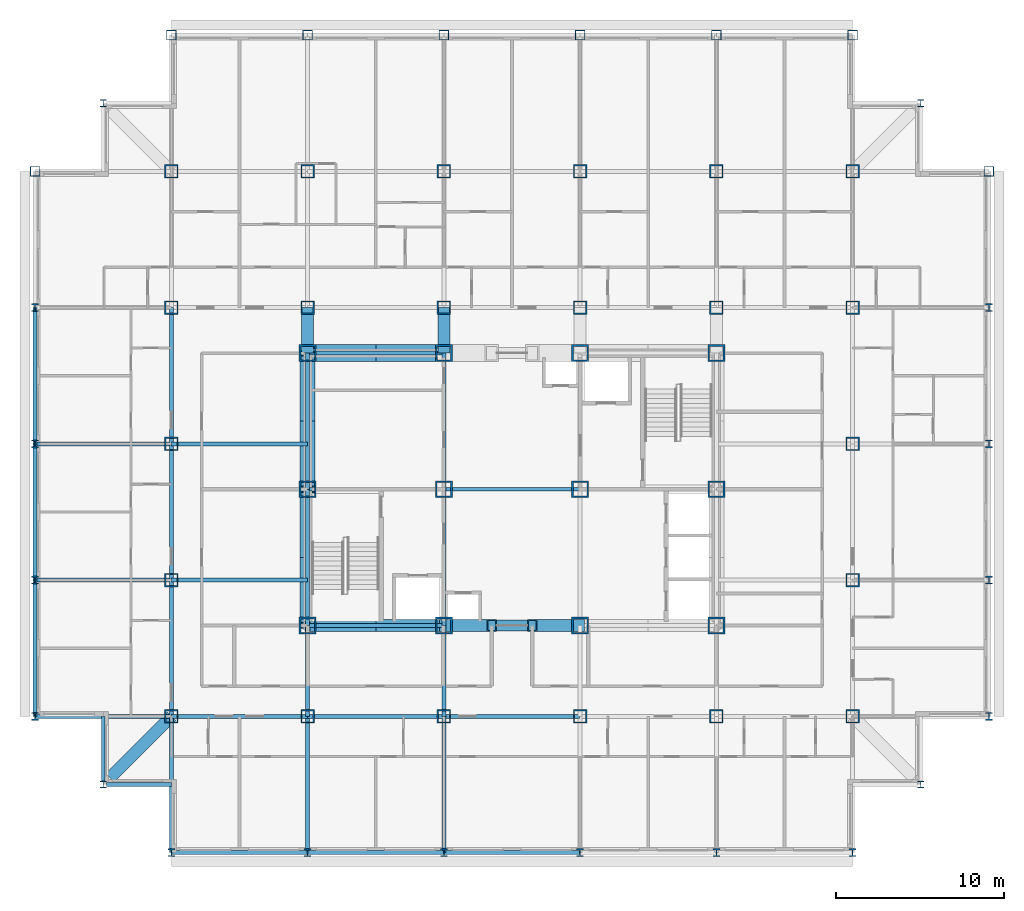
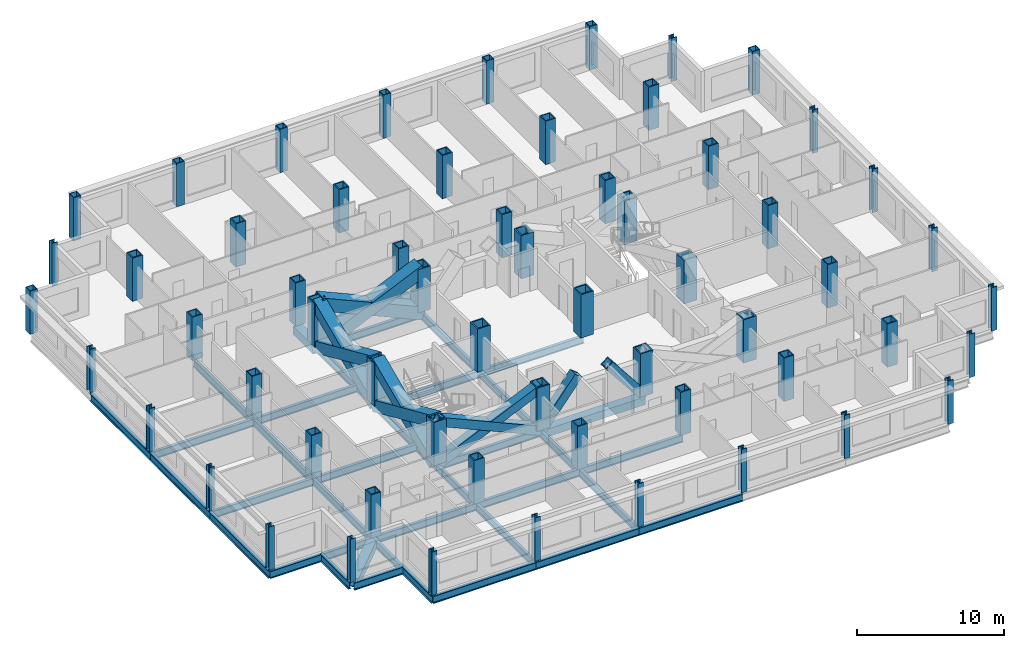
# One storey, part 1 of 12: 60 columns, 36 beams, 10 members.
"""IFC4 building model written with IfcOpenShell, lengths in metres."""

from ifc_helpers import new_model, si_unit, direction, frame, origin, origin_2d, place, context, subcontext, project, spatial, hollow_rectangle, i_section, extrude, material, material_profile, profile_set, type_object, element, save


model = new_model("IFC4")

# Units and contexts
model_context = context("Model", 3, precision=1e-05, world=origin(), true_north=direction((0.0, 1.0)))
body_context = subcontext(model_context, "Body", "Model", "MODEL_VIEW")
ifc_project = project(units=[si_unit("LENGTHUNIT", "METRE"), si_unit("AREAUNIT", "SQUARE_METRE"), si_unit("VOLUMEUNIT", "CUBIC_METRE"), si_unit("PLANEANGLEUNIT", "RADIAN"), si_unit("MASSUNIT", "GRAM", prefix="KILO")], contexts=[model_context])

# Site, building, storey
site_placement = place(None, origin())
site = spatial("IfcSite", under=ifc_project, at=site_placement, CompositionType="ELEMENT")
building_placement = place(site_placement, origin())
building = spatial("IfcBuilding", under=site, at=building_placement, Name="Kopane Lantern Tower", CompositionType="ELEMENT")
storey_placement = place(building_placement, frame((0.0, 0.0, 195.60009765625)))
storey = spatial("IfcBuildingStorey", under=building, at=storey_placement, Name="L50", CompositionType="ELEMENT", Elevation=195.60009765625)

# Columns
ifc_material_1 = material(Name="Steel S355JR", Category="steel")
ifc_material_profile_1 = material_profile(ifc_material_1, hollow_rectangle(XDim=1.0, YDim=1.0, WallThickness=0.10009765625, at=origin_2d()), Name="BOX 1000x1000x100")
ifc_profile_set_1 = profile_set([ifc_material_profile_1], Name="Steel S355JR")
column_type_1 = type_object("IfcColumnType", Name="COLUMN BOX 1000x1000x100", PredefinedType="COLUMN", material=ifc_profile_set_1)
for number, where, z_axis, x_axis, name in (
    (1, (16.199951171875, 24.300048828125, 0.0), (0.0, 0.0, 1.0), (1.0, 0.0, 0.0), "Column 4/E L50"),
    (2, (16.199951171875, 32.39990234375, 0.0), (0.0, 0.0, 1.0), (1.0, 0.0, 0.0), "Column 4/F L50"),
    (3, (16.199951171875, 40.5, 0.0), (0.0, 0.0, 1.0), (1.0, 0.0, 0.0), "Column 4/G L50"),
    (4, (24.300048828125, 24.300048828125, 0.0), (0.0, 0.0, 1.0), (1.0, 0.0, 0.0), "Column 5/E L50"),
    (5, (24.300048828125, 32.39990234375, 0.0), (0.0, 0.0, 1.0), (1.0, 0.0, 0.0), "Column 5/F L50"),
    (6, (24.300048828125, 40.5, 0.0), (0.0, 0.0, 1.0), (1.0, 0.0, 0.0), "Column 5/G L50"),
    (7, (32.39990234375, 24.300048828125, 0.0), (0.0, 0.0, 1.0), (1.0, 0.0, 0.0), "Column 6/E L50"),
    (8, (32.39990234375, 32.39990234375, 0.0), (0.0, 0.0, 1.0), (1.0, 0.0, 0.0), "Column 6/F L50"),
    (9, (32.39990234375, 40.5, 0.0), (0.0, 0.0, 1.0), (1.0, 0.0, 0.0), "Column 6/G L50"),
    (10, (40.5, 24.300048828125, 0.0), (0.0, 0.0, 1.0), (1.0, 0.0, 0.0), "Column 7/E L50"),
    (11, (40.5, 32.39990234375, 0.0), (0.0, 0.0, 1.0), (1.0, 0.0, 0.0), "Column 7/F L50"),
    (12, (40.5, 40.5, 0.0), (0.0, 0.0, 1.0), (1.0, 0.0, 0.0), "Column 7/G L50"),
):
    element("IfcColumn", number, at=place(storey_placement, frame(where, z_axis=z_axis, x_axis=x_axis)), inside=storey, type_object=column_type_1, Name=name, PredefinedType="COLUMN", context=body_context, shape_type="SweptSolid", body=[
        extrude(hollow_rectangle(XDim=1.0, YDim=1.0, WallThickness=0.10009765625, at=origin_2d()), origin(), (0.0, 0.0, 1.0), 3.599853515625),
    ])
ifc_material_2 = material(Name="Steel S355JR", Category="steel")
ifc_material_profile_2 = material_profile(ifc_material_2, hollow_rectangle(XDim=0.60009765625, YDim=0.60009765625, WallThickness=0.050048828125, at=origin_2d()), Name="BOX 600x600x50")
ifc_profile_set_2 = profile_set([ifc_material_profile_2], Name="Steel S355JR")
column_type_2 = type_object("IfcColumnType", Name="COLUMN BOX 600x600x50", PredefinedType="COLUMN", material=ifc_profile_set_2)
for number, where, z_axis, x_axis, name in (
    (13, (0.0, 51.300048828125, 0.0), (0.0, 0.0, 1.0), (1.0, 0.0, 0.0), "Column 2/Q6 L50"),
    (14, (8.10009765625, 59.39990234375, 0.0), (0.0, 0.0, 1.0), (1.0, 0.0, 0.0), "Column 3/Q7 L50"),
    (15, (16.199951171875, 59.39990234375, 0.0), (0.0, 0.0, 1.0), (1.0, 0.0, 0.0), "Column 4/Q7 L50"),
    (16, (24.300048828125, 59.39990234375, 0.0), (0.0, 0.0, 1.0), (1.0, 0.0, 0.0), "Column 5/Q7 L50"),
    (17, (32.39990234375, 59.39990234375, 0.0), (0.0, 0.0, 1.0), (1.0, 0.0, 0.0), "Column 6/Q7 L50"),
    (18, (40.5, 59.39990234375, 0.0), (0.0, 0.0, 1.0), (1.0, 0.0, 0.0), "Column 7/Q7 L50"),
    (19, (48.60009765625, 59.39990234375, 0.0), (0.0, 0.0, 1.0), (1.0, 0.0, 0.0), "Column 8/Q7 L50"),
    (20, (56.699951171875, 51.300048828125, 0.0), (0.0, 0.0, 1.0), (1.0, 0.0, 0.0), "Column 9/Q6 L50"),
):
    element("IfcColumn", number, at=place(storey_placement, frame(where, z_axis=z_axis, x_axis=x_axis)), inside=storey, type_object=column_type_2, Name=name, PredefinedType="COLUMN", context=body_context, shape_type="SweptSolid", body=[
        extrude(hollow_rectangle(XDim=0.60009765625, YDim=0.60009765625, WallThickness=0.050048828125, at=origin_2d()), origin(), (0.0, 0.0, 1.0), 3.599853515625),
    ])
ifc_material_3 = material(Name="Steel S355JR", Category="steel")
ifc_material_profile_3 = material_profile(ifc_material_3, hollow_rectangle(XDim=0.800048828125, YDim=0.800048828125, WallThickness=0.080078125, at=origin_2d()), Name="BOX 800x800x80")
ifc_profile_set_3 = profile_set([ifc_material_profile_3], Name="Steel S355JR")
column_type_3 = type_object("IfcColumnType", Name="COLUMN BOX 800x800x80", PredefinedType="COLUMN", material=ifc_profile_set_3)
for number, where, z_axis, x_axis, name in (
    (21, (8.10009765625, 18.89990234375, 0.0), (0.0, 0.0, 1.0), (1.0, 0.0, 0.0), "Column 3/Q2 L50"),
    (22, (8.10009765625, 27.0, 0.0), (0.0, 0.0, 1.0), (1.0, 0.0, 0.0), "Column 3/Q3 L50"),
    (23, (8.10009765625, 35.10009765625, 0.0), (0.0, 0.0, 1.0), (1.0, 0.0, 0.0), "Column 3/Q4 L50"),
    (24, (8.10009765625, 43.199951171875, 0.0), (0.0, 0.0, 1.0), (1.0, 0.0, 0.0), "Column 3/Q5 L50"),
    (25, (8.10009765625, 51.300048828125, 0.0), (0.0, 0.0, 1.0), (1.0, 0.0, 0.0), "Column 3/Q6 L50"),
    (26, (16.199951171875, 18.89990234375, 0.0), (0.0, 0.0, 1.0), (1.0, 0.0, 0.0), "Column 4/Q2 L50"),
    (27, (16.199951171875, 43.199951171875, 0.0), (0.0, 0.0, 1.0), (1.0, 0.0, 0.0), "Column 4/Q5 L50"),
    (28, (16.199951171875, 51.300048828125, 0.0), (0.0, 0.0, 1.0), (1.0, 0.0, 0.0), "Column 4/Q6 L50"),
    (29, (24.300048828125, 18.89990234375, 0.0), (0.0, 0.0, 1.0), (1.0, 0.0, 0.0), "Column 5/Q2 L50"),
    (30, (24.300048828125, 43.199951171875, 0.0), (0.0, 0.0, 1.0), (1.0, 0.0, 0.0), "Column 5/Q5 L50"),
    (31, (24.300048828125, 51.300048828125, 0.0), (0.0, 0.0, 1.0), (1.0, 0.0, 0.0), "Column 5/Q6 L50"),
    (32, (32.39990234375, 18.89990234375, 0.0), (0.0, 0.0, 1.0), (1.0, 0.0, 0.0), "Column 6/Q2 L50"),
    (33, (32.39990234375, 43.199951171875, 0.0), (0.0, 0.0, 1.0), (1.0, 0.0, 0.0), "Column 6/Q5 L50"),
    (34, (32.39990234375, 51.300048828125, 0.0), (0.0, 0.0, 1.0), (1.0, 0.0, 0.0), "Column 6/Q6 L50"),
    (35, (40.5, 18.89990234375, 0.0), (0.0, 0.0, 1.0), (1.0, 0.0, 0.0), "Column 7/Q2 L50"),
    (36, (40.5, 43.199951171875, 0.0), (0.0, 0.0, 1.0), (1.0, 0.0, 0.0), "Column 7/Q5 L50"),
    (37, (40.5, 51.300048828125, 0.0), (0.0, 0.0, 1.0), (1.0, 0.0, 0.0), "Column 7/Q6 L50"),
    (38, (48.60009765625, 18.89990234375, 0.0), (0.0, 0.0, 1.0), (1.0, 0.0, 0.0), "Column 8/Q2 L50"),
    (39, (48.60009765625, 27.0, 0.0), (0.0, 0.0, 1.0), (1.0, 0.0, 0.0), "Column 8/Q3 L50"),
    (40, (48.60009765625, 35.10009765625, 0.0), (0.0, 0.0, 1.0), (1.0, 0.0, 0.0), "Column 8/Q4 L50"),
    (41, (48.60009765625, 43.199951171875, 0.0), (0.0, 0.0, 1.0), (1.0, 0.0, 0.0), "Column 8/Q5 L50"),
    (42, (48.60009765625, 51.300048828125, 0.0), (0.0, 0.0, 1.0), (1.0, 0.0, 0.0), "Column 8/Q6 L50"),
):
    element("IfcColumn", number, at=place(storey_placement, frame(where, z_axis=z_axis, x_axis=x_axis)), inside=storey, type_object=column_type_3, Name=name, PredefinedType="COLUMN", context=body_context, shape_type="SweptSolid", body=[
        extrude(hollow_rectangle(XDim=0.800048828125, YDim=0.800048828125, WallThickness=0.080078125, at=origin_2d()), origin(), (0.0, 0.0, 1.0), 3.599853515625),
    ])
ifc_material_4 = material(Name="Steel S355JR", Category="steel")
ifc_material_profile_4 = material_profile(ifc_material_4, i_section(OverallWidth=0.406982421875, OverallDepth=0.4189453125, WebThickness=0.030517578125, FlangeThickness=0.04931640625, FilletRadius=0.01513671875, at=origin_2d()), Name="UC 356x406x393")
ifc_profile_set_4 = profile_set([ifc_material_profile_4], Name="Steel S355JR")
column_type_4 = type_object("IfcColumnType", Name="COLUMN UC 356x406x393", PredefinedType="COLUMN", material=ifc_profile_set_4)
for number, where, z_axis, x_axis, name in (
    (43, (4.050048828125, 14.85009765625, 0.0), (0.0, 0.0, 1.0), (1.0, 0.0, 0.0), "Column 4.05/14.85 L50"),
    (44, (4.050048828125, 55.35009765625, 0.0), (0.0, 0.0, 1.0), (1.0, 0.0, 0.0), "Column 4.05/55.35 L50"),
    (45, (52.64990234375, 14.85009765625, 0.0), (0.0, 0.0, 1.0), (1.0, 0.0, 0.0), "Column 52.65/14.85 L50"),
    (46, (52.64990234375, 55.35009765625, 0.0), (0.0, 0.0, 1.0), (1.0, 0.0, 0.0), "Column 52.65/55.35 L50"),
):
    element("IfcColumn", number, at=place(storey_placement, frame(where, z_axis=z_axis, x_axis=x_axis)), inside=storey, type_object=column_type_4, Name=name, PredefinedType="COLUMN", context=body_context, shape_type="SweptSolid", body=[
        extrude(i_section(OverallWidth=0.406982421875, OverallDepth=0.4189453125, WebThickness=0.030517578125, FlangeThickness=0.04931640625, FilletRadius=0.01513671875, at=origin_2d()), origin(), (0.0, 0.0, 1.0), 3.599853515625),
    ])
ifc_material_5 = material(Name="Steel S355JR", Category="steel")
ifc_material_profile_5 = material_profile(ifc_material_5, i_section(OverallWidth=0.424072265625, OverallDepth=0.474609375, WebThickness=0.047607421875, FlangeThickness=0.076904296875, FilletRadius=0.01513671875, at=origin_2d()), Name="UC 356x406x634")
ifc_profile_set_5 = profile_set([ifc_material_profile_5], Name="Steel S355JR")
column_type_5 = type_object("IfcColumnType", Name="COLUMN UC 356x406x634", PredefinedType="COLUMN", material=ifc_profile_set_5)
for number, where, z_axis, x_axis, name in (
    (47, (0.0, 18.89990234375, 0.0), (0.0, 0.0, 1.0), (1.0, 0.0, 0.0), "Column 2/Q2 L50"),
    (48, (0.0, 27.0, 0.0), (0.0, 0.0, 1.0), (1.0, 0.0, 0.0), "Column 2/Q3 L50"),
    (49, (0.0, 35.10009765625, 0.0), (0.0, 0.0, 1.0), (1.0, 0.0, 0.0), "Column 2/Q4 L50"),
    (50, (0.0, 43.199951171875, 0.0), (0.0, 0.0, 1.0), (1.0, 0.0, 0.0), "Column 2/Q5 L50"),
    (51, (8.10009765625, 10.800048828125, 0.0), (0.0, 0.0, 1.0), (1.0, 0.0, 0.0), "Column 3/Q1 L50"),
    (52, (16.199951171875, 10.800048828125, 0.0), (0.0, 0.0, 1.0), (1.0, 0.0, 0.0), "Column 4/Q1 L50"),
    (53, (24.300048828125, 10.800048828125, 0.0), (0.0, 0.0, 1.0), (1.0, 0.0, 0.0), "Column 5/Q1 L50"),
    (54, (32.39990234375, 10.800048828125, 0.0), (0.0, 0.0, 1.0), (1.0, 0.0, 0.0), "Column 6/Q1 L50"),
    (55, (40.5, 10.800048828125, 0.0), (0.0, 0.0, 1.0), (1.0, 0.0, 0.0), "Column 7/Q1 L50"),
    (56, (48.60009765625, 10.800048828125, 0.0), (0.0, 0.0, 1.0), (1.0, 0.0, 0.0), "Column 8/Q1 L50"),
    (57, (56.699951171875, 18.89990234375, 0.0), (0.0, 0.0, 1.0), (1.0, 0.0, 0.0), "Column 9/Q2 L50"),
    (58, (56.699951171875, 27.0, 0.0), (0.0, 0.0, 1.0), (1.0, 0.0, 0.0), "Column 9/Q3 L50"),
    (59, (56.699951171875, 35.10009765625, 0.0), (0.0, 0.0, 1.0), (1.0, 0.0, 0.0), "Column 9/Q4 L50"),
    (60, (56.699951171875, 43.199951171875, 0.0), (0.0, 0.0, 1.0), (1.0, 0.0, 0.0), "Column 9/Q5 L50"),
):
    element("IfcColumn", number, at=place(storey_placement, frame(where, z_axis=z_axis, x_axis=x_axis)), inside=storey, type_object=column_type_5, Name=name, PredefinedType="COLUMN", context=body_context, shape_type="SweptSolid", body=[
        extrude(i_section(OverallWidth=0.424072265625, OverallDepth=0.474609375, WebThickness=0.047607421875, FlangeThickness=0.076904296875, FilletRadius=0.01513671875, at=origin_2d()), origin(), (0.0, 0.0, 1.0), 3.599853515625),
    ])

# Members
ifc_material_6 = material(Name="Steel S355JR", Category="steel")
ifc_material_profile_6 = material_profile(ifc_material_6, hollow_rectangle(XDim=1.0, YDim=1.0, WallThickness=0.10009765625, at=origin_2d()), Name="BOX 1000x1000x100")
ifc_profile_set_6 = profile_set([ifc_material_profile_6], Name="Steel S355JR")
member_type_1 = type_object("IfcMemberType", Name="BRACE BOX 1000x1000x100", PredefinedType="BRACE", material=ifc_profile_set_6)
for number, where, z_axis, x_axis, name in (
    (61, (16.199951171875, 40.5, -0.210205078125), (0.913809277049, 0.0, 0.40614357705), (0.0, 1.0, 0.0), "Core brace L50"),
    (62, (24.300048828125, 40.5, -0.210205078125), (-0.913809277049, 0.0, 0.40614357705), (0.0, -1.0, 0.0), "Core brace L50"),
):
    element("IfcMember", number, at=place(storey_placement, frame(where, z_axis=z_axis, x_axis=x_axis)), inside=storey, type_object=member_type_1, Name=name, PredefinedType="BRACE", context=body_context, shape_type="SweptSolid", body=[
        extrude(hollow_rectangle(XDim=1.0, YDim=1.0, WallThickness=0.10009765625, at=origin_2d()), origin(), (0.0, 0.0, 1.0), 8.864013671875),
    ])
ifc_material_7 = material(Name="Steel S355JR", Category="steel")
ifc_material_profile_7 = material_profile(ifc_material_7, hollow_rectangle(XDim=0.699951171875, YDim=0.699951171875, WallThickness=0.06005859375, at=origin_2d()), Name="BOX 700x700x60")
ifc_profile_set_7 = profile_set([ifc_material_profile_7], Name="Steel S355JR")
member_type_2 = type_object("IfcMemberType", Name="BRACE BOX 700x700x60", PredefinedType="BRACE", material=ifc_profile_set_7)
for number, where, z_axis, x_axis, name in (
    (63, (16.199951171875, 24.300048828125, -0.210205078125), (0.913809277049, 0.0, 0.40614357705), (0.0, 1.0, 0.0), "Core brace L50"),
    (64, (24.300048828125, 24.300048828125, -0.210205078125), (-0.913809277049, 0.0, 0.40614357705), (0.0, -1.0, 0.0), "Core brace L50"),
):
    element("IfcMember", number, at=place(storey_placement, frame(where, z_axis=z_axis, x_axis=x_axis)), inside=storey, type_object=member_type_2, Name=name, PredefinedType="BRACE", context=body_context, shape_type="SweptSolid", body=[
        extrude(hollow_rectangle(XDim=0.699951171875, YDim=0.699951171875, WallThickness=0.06005859375, at=origin_2d()), origin(), (0.0, 0.0, 1.0), 8.864013671875),
    ])
for number, where, z_axis, x_axis, name in (
    (65, (24.300048828125, 24.300048828125, -0.210205078125), (0.620672981644, 0.0, 0.784069544018), (0.0, 1.0, 0.0), "Core brace L50"),
    (66, (32.39990234375, 24.300048828125, -0.210205078125), (-0.620672981644, 0.0, 0.784069544018), (0.0, -1.0, 0.0), "Core brace L50"),
):
    element("IfcMember", number, at=place(storey_placement, frame(where, z_axis=z_axis, x_axis=x_axis)), inside=storey, type_object=member_type_2, Name=name, PredefinedType="BRACE", context=body_context, shape_type="SweptSolid", body=[
        extrude(hollow_rectangle(XDim=0.699951171875, YDim=0.699951171875, WallThickness=0.06005859375, at=origin_2d()), origin(), (0.0, 0.0, 1.0), 4.591552734375),
    ])
ifc_material_8 = material(Name="Steel S355JR", Category="steel")
ifc_material_profile_8 = material_profile(ifc_material_8, hollow_rectangle(XDim=0.89990234375, YDim=0.89990234375, WallThickness=0.090087890625, at=origin_2d()), Name="BOX 900x900x90")
ifc_profile_set_8 = profile_set([ifc_material_profile_8], Name="Steel S355JR")
member_type_3 = type_object("IfcMemberType", Name="BRACE BOX 900x900x90", PredefinedType="BRACE", material=ifc_profile_set_8)
for number, where, z_axis, x_axis, name in (
    (67, (16.199951171875, 24.300048828125, -0.210205078125), (0.0, 0.91380473365, 0.406153799391), (-1.0, 0.0, 0.0), "Core brace L50"),
    (68, (16.199951171875, 32.39990234375, -0.210205078125), (0.0, -0.91380473365, 0.406153799391), (1.0, 0.0, 0.0), "Core brace L50"),
):
    element("IfcMember", number, at=place(storey_placement, frame(where, z_axis=z_axis, x_axis=x_axis)), inside=storey, type_object=member_type_3, Name=name, PredefinedType="BRACE", context=body_context, shape_type="SweptSolid", body=[
        extrude(hollow_rectangle(XDim=0.89990234375, YDim=0.89990234375, WallThickness=0.090087890625, at=origin_2d()), origin(), (0.0, 0.0, 1.0), 8.86376953125),
    ])
for number, where, z_axis, x_axis, name in (
    (69, (16.199951171875, 32.39990234375, -0.210205078125), (0.0, 0.913809277049, 0.40614357705), (-1.0, 0.0, 0.0), "Core brace L50"),
    (70, (16.199951171875, 40.5, -0.210205078125), (0.0, -0.913809277049, 0.40614357705), (1.0, 0.0, 0.0), "Core brace L50"),
):
    element("IfcMember", number, at=place(storey_placement, frame(where, z_axis=z_axis, x_axis=x_axis)), inside=storey, type_object=member_type_3, Name=name, PredefinedType="BRACE", context=body_context, shape_type="SweptSolid", body=[
        extrude(hollow_rectangle(XDim=0.89990234375, YDim=0.89990234375, WallThickness=0.090087890625, at=origin_2d()), origin(), (0.0, 0.0, 1.0), 8.864013671875),
    ])

# Beams
ifc_material_9 = material(Name="Steel S355JR", Category="steel")
ifc_material_profile_9 = material_profile(ifc_material_9, i_section(OverallWidth=0.22900390625, OverallDepth=0.6123046875, WebThickness=0.011962890625, FlangeThickness=0.01953125, FilletRadius=0.0126953125, at=origin_2d()), Name="UB 610x229x125")
ifc_profile_set_9 = profile_set([ifc_material_profile_9], Name="Steel S355JR")
beam_type_1 = type_object("IfcBeamType", Name="CORE BEAM UB 610x229x125", PredefinedType="BEAM", material=ifc_profile_set_9)
beam_1_placement = place(storey_placement, frame((16.199951171875, 32.39990234375, -0.51611328125), z_axis=(1.0, 0.0, 0.0), x_axis=(0.0, 1.0, 0.0)))
element("IfcBeam", 71, at=beam_1_placement, inside=storey, type_object=beam_type_1, Name="Core Beam L50", PredefinedType="BEAM", context=body_context, shape_type="SweptSolid", body=[
    extrude(i_section(OverallWidth=0.22900390625, OverallDepth=0.6123046875, WebThickness=0.011962890625, FlangeThickness=0.01953125, FilletRadius=0.0126953125, at=origin_2d()), origin(), (0.0, 0.0, 1.0), 8.10009765625),
])
beam_2_placement = place(storey_placement, frame((24.300048828125, 24.300048828125, -0.51611328125), z_axis=(0.0, 1.0, 0.0), x_axis=(-1.0, 0.0, 0.0)))
element("IfcBeam", 72, at=beam_2_placement, inside=storey, type_object=beam_type_1, Name="Core Beam L50", PredefinedType="BEAM", context=body_context, shape_type="SweptSolid", body=[
    extrude(i_section(OverallWidth=0.22900390625, OverallDepth=0.6123046875, WebThickness=0.011962890625, FlangeThickness=0.01953125, FilletRadius=0.0126953125, at=origin_2d()), origin(), (0.0, 0.0, 1.0), 8.099853515625),
])
beam_3_placement = place(storey_placement, frame((24.300048828125, 32.39990234375, -0.51611328125), z_axis=(0.0, 1.0, 0.0), x_axis=(-1.0, 0.0, 0.0)))
element("IfcBeam", 73, at=beam_3_placement, inside=storey, type_object=beam_type_1, Name="Core Beam L50", PredefinedType="BEAM", context=body_context, shape_type="SweptSolid", body=[
    extrude(i_section(OverallWidth=0.22900390625, OverallDepth=0.6123046875, WebThickness=0.011962890625, FlangeThickness=0.01953125, FilletRadius=0.0126953125, at=origin_2d()), origin(), (0.0, 0.0, 1.0), 8.10009765625),
])
beam_4_placement = place(storey_placement, frame((24.300048828125, 32.39990234375, -0.51611328125), z_axis=(1.0, 0.0, 0.0), x_axis=(0.0, 1.0, 0.0)))
element("IfcBeam", 74, at=beam_4_placement, inside=storey, type_object=beam_type_1, Name="Core Beam L50", PredefinedType="BEAM", context=body_context, shape_type="SweptSolid", body=[
    extrude(i_section(OverallWidth=0.22900390625, OverallDepth=0.6123046875, WebThickness=0.011962890625, FlangeThickness=0.01953125, FilletRadius=0.0126953125, at=origin_2d()), origin(), (0.0, 0.0, 1.0), 8.099853515625),
])
ifc_material_10 = material(Name="Steel S355JR", Category="steel")
ifc_material_profile_10 = material_profile(ifc_material_10, hollow_rectangle(XDim=0.699951171875, YDim=0.699951171875, WallThickness=0.06005859375, at=origin_2d()), Name="BOX 700x700x60")
ifc_profile_set_10 = profile_set([ifc_material_profile_10], Name="Steel S355JR")
beam_type_2 = type_object("IfcBeamType", Name="CORNER TIE BEAM BOX 700x700x60", PredefinedType="BEAM", material=ifc_profile_set_10)
beam_5_placement = place(storey_placement, frame((4.447509765625, 15.24755859375, -0.56005859375), z_axis=(0.70713041325, 0.707083148333, 0.0), x_axis=(-0.707083148333, 0.70713041325, 0.0)))
element("IfcBeam", 75, at=beam_5_placement, inside=storey, type_object=beam_type_2, Name="Corner Tie Beam L50", PredefinedType="BEAM", context=body_context, shape_type="SweptSolid", body=[
    extrude(hollow_rectangle(XDim=0.699951171875, YDim=0.699951171875, WallThickness=0.06005859375, at=origin_2d()), origin(), (0.0, 0.0, 1.0), 5.165283203125),
])
ifc_material_11 = material(Name="Steel S355JR", Category="steel")
ifc_material_profile_11 = material_profile(ifc_material_11, i_section(OverallWidth=0.22900390625, OverallDepth=0.6123046875, WebThickness=0.011962890625, FlangeThickness=0.01953125, FilletRadius=0.0126953125, at=origin_2d()), Name="UB 610x229x125")
ifc_profile_set_11 = profile_set([ifc_material_profile_11], Name="Steel S355JR")
beam_type_3 = type_object("IfcBeamType", Name="EDGE BEAM UB 610x229x125", PredefinedType="BEAM", material=ifc_profile_set_11)
beam_6_placement = place(storey_placement, frame((4.050048828125, 15.053466796875, -0.51611328125), z_axis=(0.0, 1.0, 0.0), x_axis=(-1.0, 0.0, 0.0)))
element("IfcBeam", 76, at=beam_6_placement, inside=storey, type_object=beam_type_3, Name="Edge Beam L50", PredefinedType="BEAM", context=body_context, shape_type="SweptSolid", body=[
    extrude(i_section(OverallWidth=0.22900390625, OverallDepth=0.6123046875, WebThickness=0.011962890625, FlangeThickness=0.01953125, FilletRadius=0.0126953125, at=origin_2d()), origin(), (0.0, 0.0, 1.0), 3.846435546875),
])
beam_7_placement = place(storey_placement, frame((4.25341796875, 14.85009765625, -0.51611328125), z_axis=(1.0, 0.0, 0.0), x_axis=(0.0, 1.0, 0.0)))
element("IfcBeam", 77, at=beam_7_placement, inside=storey, type_object=beam_type_3, Name="Edge Beam L50", PredefinedType="BEAM", context=body_context, shape_type="SweptSolid", body=[
    extrude(i_section(OverallWidth=0.22900390625, OverallDepth=0.6123046875, WebThickness=0.011962890625, FlangeThickness=0.01953125, FilletRadius=0.0126953125, at=origin_2d()), origin(), (0.0, 0.0, 1.0), 3.8466796875),
])
ifc_material_12 = material(Name="Steel S355JR", Category="steel")
ifc_material_profile_12 = material_profile(ifc_material_12, hollow_rectangle(XDim=0.699951171875, YDim=0.699951171875, WallThickness=0.06005859375, at=origin_2d()), Name="BOX 700x700x60")
ifc_profile_set_12 = profile_set([ifc_material_profile_12], Name="Steel S355JR")
beam_type_4 = type_object("IfcBeamType", Name="GIRDER BOX 700x700x60", PredefinedType="BEAM", material=ifc_profile_set_12)
for number, where, z_axis, x_axis, name in (
    (78, (16.199951171875, 40.5, -0.56005859375), (0.0, 1.0, 0.0), (-1.0, 0.0, 0.0), "Girder L50"),
    (79, (24.300048828125, 40.5, -0.56005859375), (0.0, 1.0, 0.0), (-1.0, 0.0, 0.0), "Girder L50"),
):
    element("IfcBeam", number, at=place(storey_placement, frame(where, z_axis=z_axis, x_axis=x_axis)), inside=storey, type_object=beam_type_4, Name=name, PredefinedType="BEAM", context=body_context, shape_type="SweptSolid", body=[
        extrude(hollow_rectangle(XDim=0.699951171875, YDim=0.699951171875, WallThickness=0.06005859375, at=origin_2d()), origin(), (0.0, 0.0, 1.0), 2.699951171875),
    ])
ifc_material_13 = material(Name="Steel S355JR", Category="steel")
ifc_material_profile_13 = material_profile(ifc_material_13, i_section(OverallWidth=0.22900390625, OverallDepth=0.6123046875, WebThickness=0.011962890625, FlangeThickness=0.01953125, FilletRadius=0.0126953125, at=origin_2d()), Name="UB 610x229x125")
ifc_profile_set_13 = profile_set([ifc_material_profile_13], Name="Steel S355JR")
beam_type_5 = type_object("IfcBeamType", Name="GIRDER UB 610x229x125", PredefinedType="BEAM", material=ifc_profile_set_13)
for number, where, z_axis, x_axis, name in (
    (80, (0.0, 18.89990234375, -0.51611328125), (0.0, 1.0, 0.0), (-1.0, 0.0, 0.0), "Girder L50"),
    (81, (0.0, 18.89990234375, -0.51611328125), (1.0, 0.0, 0.0), (0.0, 1.0, 0.0), "Girder L50"),
    (82, (0.0, 27.0, -0.51611328125), (0.0, 1.0, 0.0), (-1.0, 0.0, 0.0), "Girder L50"),
    (83, (0.0, 27.0, -0.51611328125), (1.0, 0.0, 0.0), (0.0, 1.0, 0.0), "Girder L50"),
):
    element("IfcBeam", number, at=place(storey_placement, frame(where, z_axis=z_axis, x_axis=x_axis)), inside=storey, type_object=beam_type_5, Name=name, PredefinedType="BEAM", context=body_context, shape_type="SweptSolid", body=[
        extrude(i_section(OverallWidth=0.22900390625, OverallDepth=0.6123046875, WebThickness=0.011962890625, FlangeThickness=0.01953125, FilletRadius=0.0126953125, at=origin_2d()), origin(), (0.0, 0.0, 1.0), 8.10009765625),
    ])
beam_8_placement = place(storey_placement, frame((0.0, 35.10009765625, -0.51611328125), z_axis=(0.0, 1.0, 0.0), x_axis=(-1.0, 0.0, 0.0)))
element("IfcBeam", 84, at=beam_8_placement, inside=storey, type_object=beam_type_5, Name="Girder L50", PredefinedType="BEAM", context=body_context, shape_type="SweptSolid", body=[
    extrude(i_section(OverallWidth=0.22900390625, OverallDepth=0.6123046875, WebThickness=0.011962890625, FlangeThickness=0.01953125, FilletRadius=0.0126953125, at=origin_2d()), origin(), (0.0, 0.0, 1.0), 8.099853515625),
])
beam_9_placement = place(storey_placement, frame((0.0, 35.10009765625, -0.51611328125), z_axis=(1.0, 0.0, 0.0), x_axis=(0.0, 1.0, 0.0)))
element("IfcBeam", 85, at=beam_9_placement, inside=storey, type_object=beam_type_5, Name="Girder L50", PredefinedType="BEAM", context=body_context, shape_type="SweptSolid", body=[
    extrude(i_section(OverallWidth=0.22900390625, OverallDepth=0.6123046875, WebThickness=0.011962890625, FlangeThickness=0.01953125, FilletRadius=0.0126953125, at=origin_2d()), origin(), (0.0, 0.0, 1.0), 8.10009765625),
])
for number, where, z_axis, x_axis, name in (
    (86, (8.10009765625, 10.800048828125, -0.51611328125), (0.0, 1.0, 0.0), (-1.0, 0.0, 0.0), "Girder L50"),
    (87, (8.10009765625, 10.800048828125, -0.51611328125), (1.0, 0.0, 0.0), (0.0, 1.0, 0.0), "Girder L50"),
):
    element("IfcBeam", number, at=place(storey_placement, frame(where, z_axis=z_axis, x_axis=x_axis)), inside=storey, type_object=beam_type_5, Name=name, PredefinedType="BEAM", context=body_context, shape_type="SweptSolid", body=[
        extrude(i_section(OverallWidth=0.22900390625, OverallDepth=0.6123046875, WebThickness=0.011962890625, FlangeThickness=0.01953125, FilletRadius=0.0126953125, at=origin_2d()), origin(), (0.0, 0.0, 1.0), 8.099853515625),
    ])
beam_10_placement = place(storey_placement, frame((8.10009765625, 18.89990234375, -0.51611328125), z_axis=(0.0, 1.0, 0.0), x_axis=(-1.0, 0.0, 0.0)))
element("IfcBeam", 88, at=beam_10_placement, inside=storey, type_object=beam_type_5, Name="Girder L50", PredefinedType="BEAM", context=body_context, shape_type="SweptSolid", body=[
    extrude(i_section(OverallWidth=0.22900390625, OverallDepth=0.6123046875, WebThickness=0.011962890625, FlangeThickness=0.01953125, FilletRadius=0.0126953125, at=origin_2d()), origin(), (0.0, 0.0, 1.0), 8.10009765625),
])
beam_11_placement = place(storey_placement, frame((8.10009765625, 18.89990234375, -0.51611328125), z_axis=(1.0, 0.0, 0.0), x_axis=(0.0, 1.0, 0.0)))
element("IfcBeam", 89, at=beam_11_placement, inside=storey, type_object=beam_type_5, Name="Girder L50", PredefinedType="BEAM", context=body_context, shape_type="SweptSolid", body=[
    extrude(i_section(OverallWidth=0.22900390625, OverallDepth=0.6123046875, WebThickness=0.011962890625, FlangeThickness=0.01953125, FilletRadius=0.0126953125, at=origin_2d()), origin(), (0.0, 0.0, 1.0), 8.099853515625),
])
beam_12_placement = place(storey_placement, frame((8.10009765625, 27.0, -0.51611328125), z_axis=(0.0, 1.0, 0.0), x_axis=(-1.0, 0.0, 0.0)))
element("IfcBeam", 90, at=beam_12_placement, inside=storey, type_object=beam_type_5, Name="Girder L50", PredefinedType="BEAM", context=body_context, shape_type="SweptSolid", body=[
    extrude(i_section(OverallWidth=0.22900390625, OverallDepth=0.6123046875, WebThickness=0.011962890625, FlangeThickness=0.01953125, FilletRadius=0.0126953125, at=origin_2d()), origin(), (0.0, 0.0, 1.0), 8.10009765625),
])
for number, where, z_axis, x_axis, name in (
    (91, (8.10009765625, 27.0, -0.51611328125), (1.0, 0.0, 0.0), (0.0, 1.0, 0.0), "Girder L50"),
    (92, (8.10009765625, 35.10009765625, -0.51611328125), (0.0, 1.0, 0.0), (-1.0, 0.0, 0.0), "Girder L50"),
    (93, (8.10009765625, 35.10009765625, -0.51611328125), (1.0, 0.0, 0.0), (0.0, 1.0, 0.0), "Girder L50"),
    (94, (16.199951171875, 10.800048828125, -0.51611328125), (0.0, 1.0, 0.0), (-1.0, 0.0, 0.0), "Girder L50"),
):
    element("IfcBeam", number, at=place(storey_placement, frame(where, z_axis=z_axis, x_axis=x_axis)), inside=storey, type_object=beam_type_5, Name=name, PredefinedType="BEAM", context=body_context, shape_type="SweptSolid", body=[
        extrude(i_section(OverallWidth=0.22900390625, OverallDepth=0.6123046875, WebThickness=0.011962890625, FlangeThickness=0.01953125, FilletRadius=0.0126953125, at=origin_2d()), origin(), (0.0, 0.0, 1.0), 8.099853515625),
    ])
beam_13_placement = place(storey_placement, frame((16.199951171875, 10.800048828125, -0.51611328125), z_axis=(1.0, 0.0, 0.0), x_axis=(0.0, 1.0, 0.0)))
element("IfcBeam", 95, at=beam_13_placement, inside=storey, type_object=beam_type_5, Name="Girder L50", PredefinedType="BEAM", context=body_context, shape_type="SweptSolid", body=[
    extrude(i_section(OverallWidth=0.22900390625, OverallDepth=0.6123046875, WebThickness=0.011962890625, FlangeThickness=0.01953125, FilletRadius=0.0126953125, at=origin_2d()), origin(), (0.0, 0.0, 1.0), 8.10009765625),
])
beam_14_placement = place(storey_placement, frame((16.199951171875, 18.89990234375, -0.51611328125), z_axis=(0.0, 1.0, 0.0), x_axis=(-1.0, 0.0, 0.0)))
element("IfcBeam", 96, at=beam_14_placement, inside=storey, type_object=beam_type_5, Name="Girder L50", PredefinedType="BEAM", context=body_context, shape_type="SweptSolid", body=[
    extrude(i_section(OverallWidth=0.22900390625, OverallDepth=0.6123046875, WebThickness=0.011962890625, FlangeThickness=0.01953125, FilletRadius=0.0126953125, at=origin_2d()), origin(), (0.0, 0.0, 1.0), 5.400146484375),
])
beam_15_placement = place(storey_placement, frame((16.199951171875, 18.89990234375, -0.51611328125), z_axis=(1.0, 0.0, 0.0), x_axis=(0.0, 1.0, 0.0)))
element("IfcBeam", 97, at=beam_15_placement, inside=storey, type_object=beam_type_5, Name="Girder L50", PredefinedType="BEAM", context=body_context, shape_type="SweptSolid", body=[
    extrude(i_section(OverallWidth=0.22900390625, OverallDepth=0.6123046875, WebThickness=0.011962890625, FlangeThickness=0.01953125, FilletRadius=0.0126953125, at=origin_2d()), origin(), (0.0, 0.0, 1.0), 8.10009765625),
])
beam_16_placement = place(storey_placement, frame((16.199951171875, 24.300048828125, -0.51611328125), z_axis=(0.0, 1.0, 0.0), x_axis=(-1.0, 0.0, 0.0)))
element("IfcBeam", 98, at=beam_16_placement, inside=storey, type_object=beam_type_5, Name="Girder L50", PredefinedType="BEAM", context=body_context, shape_type="SweptSolid", body=[
    extrude(i_section(OverallWidth=0.22900390625, OverallDepth=0.6123046875, WebThickness=0.011962890625, FlangeThickness=0.01953125, FilletRadius=0.0126953125, at=origin_2d()), origin(), (0.0, 0.0, 1.0), 8.099853515625),
])
for number, where, z_axis, x_axis, name in (
    (99, (16.199951171875, 24.300048828125, -0.51611328125), (1.0, 0.0, 0.0), (0.0, 1.0, 0.0), "Girder L50"),
    (100, (16.199951171875, 32.39990234375, -0.51611328125), (0.0, 1.0, 0.0), (-1.0, 0.0, 0.0), "Girder L50"),
    (101, (16.199951171875, 40.5, -0.51611328125), (1.0, 0.0, 0.0), (0.0, 1.0, 0.0), "Girder L50"),
):
    element("IfcBeam", number, at=place(storey_placement, frame(where, z_axis=z_axis, x_axis=x_axis)), inside=storey, type_object=beam_type_5, Name=name, PredefinedType="BEAM", context=body_context, shape_type="SweptSolid", body=[
        extrude(i_section(OverallWidth=0.22900390625, OverallDepth=0.6123046875, WebThickness=0.011962890625, FlangeThickness=0.01953125, FilletRadius=0.0126953125, at=origin_2d()), origin(), (0.0, 0.0, 1.0), 8.10009765625),
    ])
for number, where, z_axis, x_axis, name in (
    (102, (24.300048828125, 10.800048828125, -0.51611328125), (0.0, 1.0, 0.0), (-1.0, 0.0, 0.0), "Girder L50"),
    (103, (24.300048828125, 10.800048828125, -0.51611328125), (1.0, 0.0, 0.0), (0.0, 1.0, 0.0), "Girder L50"),
):
    element("IfcBeam", number, at=place(storey_placement, frame(where, z_axis=z_axis, x_axis=x_axis)), inside=storey, type_object=beam_type_5, Name=name, PredefinedType="BEAM", context=body_context, shape_type="SweptSolid", body=[
        extrude(i_section(OverallWidth=0.22900390625, OverallDepth=0.6123046875, WebThickness=0.011962890625, FlangeThickness=0.01953125, FilletRadius=0.0126953125, at=origin_2d()), origin(), (0.0, 0.0, 1.0), 8.099853515625),
    ])
beam_17_placement = place(storey_placement, frame((24.300048828125, 18.89990234375, -0.51611328125), z_axis=(0.0, 1.0, 0.0), x_axis=(-1.0, 0.0, 0.0)))
element("IfcBeam", 104, at=beam_17_placement, inside=storey, type_object=beam_type_5, Name="Girder L50", PredefinedType="BEAM", context=body_context, shape_type="SweptSolid", body=[
    extrude(i_section(OverallWidth=0.22900390625, OverallDepth=0.6123046875, WebThickness=0.011962890625, FlangeThickness=0.01953125, FilletRadius=0.0126953125, at=origin_2d()), origin(), (0.0, 0.0, 1.0), 5.400146484375),
])
beam_18_placement = place(storey_placement, frame((24.300048828125, 18.89990234375, -0.51611328125), z_axis=(1.0, 0.0, 0.0), x_axis=(0.0, 1.0, 0.0)))
element("IfcBeam", 105, at=beam_18_placement, inside=storey, type_object=beam_type_5, Name="Girder L50", PredefinedType="BEAM", context=body_context, shape_type="SweptSolid", body=[
    extrude(i_section(OverallWidth=0.22900390625, OverallDepth=0.6123046875, WebThickness=0.011962890625, FlangeThickness=0.01953125, FilletRadius=0.0126953125, at=origin_2d()), origin(), (0.0, 0.0, 1.0), 8.099853515625),
])
ifc_material_14 = material(Name="Steel S355JR", Category="steel")
ifc_material_profile_14 = material_profile(ifc_material_14, hollow_rectangle(XDim=0.64990234375, YDim=0.64990234375, WallThickness=0.070068359375, at=origin_2d()), Name="BOX 650x650x70")
ifc_profile_set_14 = profile_set([ifc_material_profile_14], Name="Steel S355JR")
beam_type_6 = type_object("IfcBeamType", Name="LINK BEAM BOX 650x650x70", PredefinedType="BEAM", material=ifc_profile_set_14)
beam_19_placement = place(storey_placement, frame((24.300048828125, 24.300048828125, -0.53515625), z_axis=(1.0, 0.0, 0.0), x_axis=(0.0, 1.0, 0.0)))
element("IfcBeam", 106, at=beam_19_placement, inside=storey, type_object=beam_type_6, Name="Link Beam L50", PredefinedType="BEAM", context=body_context, shape_type="SweptSolid", body=[
    extrude(hollow_rectangle(XDim=0.64990234375, YDim=0.64990234375, WallThickness=0.070068359375, at=origin_2d()), origin(), (0.0, 0.0, 1.0), 8.099853515625),
])

save(model, "model.ifc")
